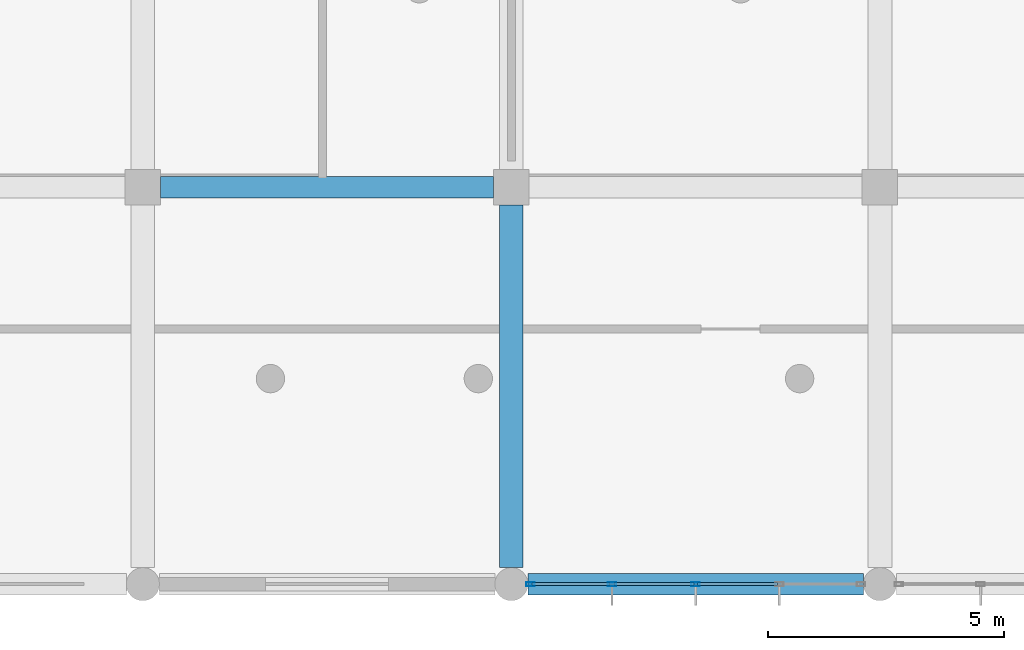
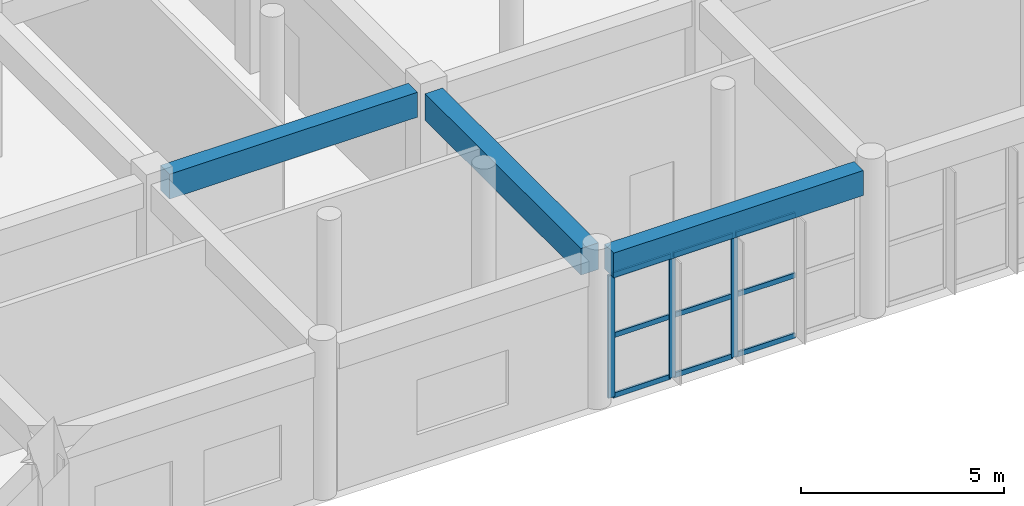
# One storey, part 10 of 175: 12 members, 3 beams, 1 element without a shape of its own.
"""IFC4 building model written with IfcOpenShell, lengths in metres."""

from ifc_helpers import new_model, si_unit, direction, frame, origin, origin_2d, place, context, subcontext, project, spatial, rectangle, hollow_rectangle, extrude, material, layer, layer_set, material_profile, profile_set, type_object, element, aggregate, save


model = new_model("IFC4")

# Units and contexts
model_context = context("Model", 3, precision=1e-05, world=origin(), true_north=direction((0.0, 1.0)))
body_context = subcontext(model_context, "Body", "Model", "MODEL_VIEW")
ifc_project = project(units=[si_unit("LENGTHUNIT", "METRE"), si_unit("AREAUNIT", "SQUARE_METRE"), si_unit("VOLUMEUNIT", "CUBIC_METRE"), si_unit("PLANEANGLEUNIT", "RADIAN"), si_unit("MASSUNIT", "GRAM", prefix="KILO")], contexts=[model_context])

# Site, building, storey
site_placement = place(None, origin())
site = spatial("IfcSite", under=ifc_project, at=site_placement, CompositionType="ELEMENT")
building_placement = place(site_placement, origin())
building = spatial("IfcBuilding", under=site, at=building_placement, Name="Zizhar Promenade General Hospital", CompositionType="ELEMENT")
storey_placement = place(building_placement, frame((0.0, 0.0, 4.800048828125)))
storey = spatial("IfcBuildingStorey", under=building, at=storey_placement, Name="L01", CompositionType="ELEMENT", Elevation=4.800048828125)

# Beams
ifc_material_1 = material(Name="Concrete C35/45", Category="concrete")
ifc_material_profile_1 = material_profile(ifc_material_1, rectangle(XDim=0.449951171875, YDim=0.75, at=origin_2d()))
ifc_profile_set_1 = profile_set([ifc_material_profile_1], Name="Concrete C35/45")
beam_type_1 = type_object("IfcBeamType", Name="BM-RC-450x750", PredefinedType="BEAM", material=ifc_profile_set_1)
beam_1_placement = place(storey_placement, frame((15.97509765625, 8.39990234375, 4.094970703125), z_axis=(1.0, 0.0, 0.0), x_axis=(0.0, 1.0, 0.0)))
element("IfcBeam", 1, at=beam_1_placement, inside=storey, type_object=beam_type_1, Name="Grid Beam X L01 (2-1)", PredefinedType="BEAM", context=body_context, shape_type="SweptSolid", body=[
    extrude(rectangle(XDim=0.449951171875, YDim=0.75, at=origin_2d()), origin(), (0.0, 0.0, 1.0), 7.0498046875),
])
beam_2_placement = place(storey_placement, frame((23.75, 0.0, 4.094970703125), z_axis=(1.0, 0.0, 0.0), x_axis=(0.0, 1.0, 0.0)))
element("IfcBeam", 2, at=beam_2_placement, inside=storey, type_object=beam_type_1, Name="Grid Beam X L01 (3-0)", PredefinedType="BEAM", context=body_context, shape_type="SweptSolid", body=[
    extrude(rectangle(XDim=0.449951171875, YDim=0.75, at=origin_2d()), origin(), (0.0, 0.0, 1.0), 7.10009765625),
])
ifc_material_2 = material(Name="Concrete C35/45", Category="concrete")
ifc_material_profile_2 = material_profile(ifc_material_2, rectangle(XDim=0.5, YDim=0.800048828125, at=origin_2d()))
ifc_profile_set_2 = profile_set([ifc_material_profile_2], Name="Concrete C35/45")
beam_type_2 = type_object("IfcBeamType", Name="BM-RC-500x800", PredefinedType="BEAM", material=ifc_profile_set_2)
beam_3_placement = place(storey_placement, frame((23.39990234375, 0.35009765625, 4.070068359375), z_axis=(0.0, 1.0, 0.0), x_axis=(-1.0, 0.0, 0.0)))
element("IfcBeam", 3, at=beam_3_placement, inside=storey, type_object=beam_type_2, Name="Grid Beam Y L01 (3-0)", PredefinedType="BEAM", context=body_context, shape_type="SweptSolid", body=[
    extrude(rectangle(XDim=0.5, YDim=0.800048828125, at=origin_2d()), origin(), (0.0, 0.0, 1.0), 7.6748046875),
])

# Curtain wall, members
ifc_material_3 = material(Name="Anodised aluminium 6063-T6 and low-E glass", Category="aluminium")
ifc_layer = layer(ifc_material_3, 0.159912109375)
ifc_layer_set = layer_set([ifc_layer], Name="Anodised aluminium 6063-T6 and low-E glass")
curtain_wall_type = type_object("IfcCurtainWallType", Name="CW-DT-MOD1", PredefinedType="NOTDEFINED", material=ifc_layer_set)
curtain_wall_placement = place(storey_placement, origin())
curtain_wall = element("IfcCurtainWall", 4, at=curtain_wall_placement, inside=storey, type_object=curtain_wall_type, Name="Riverfront Clinical Curtain Wall L01-2", PredefinedType="NOTDEFINED")
ifc_material_4 = material(Name="Anodised aluminium 6063-T6", Category="aluminium")
ifc_material_profile_3 = material_profile(ifc_material_4, hollow_rectangle(XDim=0.080078125, YDim=0.179931640625, WallThickness=0.0048828125, at=origin_2d()))
ifc_profile_set_3 = profile_set([ifc_material_profile_3], Name="Anodised aluminium 6063-T6")
member_type_1 = type_object("IfcMemberType", Name="CWM-ALU-180x80", PredefinedType="MULLION", material=ifc_profile_set_3)
member_1_placement = place(storey_placement, frame((27.300048828125, 0.0, 0.0), z_axis=(0.0, 0.0, 1.0), x_axis=(0.0, -1.0, 0.0)))
member_1 = element("IfcMember", 5, at=member_1_placement, type_object=member_type_1, Name="CW-07 mullion 3", PredefinedType="MULLION", context=body_context, shape_type="SweptSolid", body=[
    extrude(hollow_rectangle(XDim=0.080078125, YDim=0.179931640625, WallThickness=0.0048828125, at=origin_2d()), origin(), (0.0, 0.0, 1.0), 3.679931640625),
])
member_2_placement = place(storey_placement, frame((25.530029296875, 0.0, 0.0), z_axis=(0.0, 0.0, 1.0), x_axis=(0.0, -1.0, 0.0)))
member_2 = element("IfcMember", 6, at=member_2_placement, type_object=member_type_1, Name="CW-07 mullion 4", PredefinedType="MULLION", context=body_context, shape_type="SweptSolid", body=[
    extrude(hollow_rectangle(XDim=0.080078125, YDim=0.179931640625, WallThickness=0.0048828125, at=origin_2d()), origin(), (0.0, 0.0, 1.0), 3.679931640625),
])
member_3_placement = place(storey_placement, frame((23.800048828125, 0.0, 0.0), z_axis=(0.0, 0.0, 1.0), x_axis=(0.0, -1.0, 0.0)))
member_3 = element("IfcMember", 7, at=member_3_placement, type_object=member_type_1, Name="CW-07 mullion 5", PredefinedType="MULLION", context=body_context, shape_type="SweptSolid", body=[
    extrude(hollow_rectangle(XDim=0.080078125, YDim=0.179931640625, WallThickness=0.0048828125, at=origin_2d()), origin(), (0.0, 0.0, 1.0), 3.679931640625),
])
ifc_material_5 = material(Name="Anodised aluminium 6063-T6", Category="aluminium")
ifc_material_profile_4 = material_profile(ifc_material_5, hollow_rectangle(XDim=0.06005859375, YDim=0.14990234375, WallThickness=0.00390625, at=origin_2d()))
ifc_profile_set_4 = profile_set([ifc_material_profile_4], Name="Anodised aluminium 6063-T6")
member_type_2 = type_object("IfcMemberType", Name="CWT-ALU-150x60", PredefinedType="USERDEFINED", material=ifc_profile_set_4)
member_4_placement = place(storey_placement, frame((29.030029296875, 0.0, 0.030029296875), z_axis=(-1.0, 0.0, 0.0), x_axis=(0.0, -1.0, 0.0)))
member_4 = element("IfcMember", 8, at=member_4_placement, type_object=member_type_2, Name="CW-07 transom 2.1", ObjectType="TRANSOM", PredefinedType="USERDEFINED", context=body_context, shape_type="SweptSolid", body=[
    extrude(hollow_rectangle(XDim=0.06005859375, YDim=0.14990234375, WallThickness=0.00390625, at=origin_2d()), origin(), (0.0, 0.0, 1.0), 1.68994140625),
])
member_5_placement = place(storey_placement, frame((29.030029296875, 0.0, 1.83984375), z_axis=(-1.0, 0.0, 0.0), x_axis=(0.0, -1.0, 0.0)))
member_5 = element("IfcMember", 9, at=member_5_placement, type_object=member_type_2, Name="CW-07 transom 2.2", ObjectType="TRANSOM", PredefinedType="USERDEFINED", context=body_context, shape_type="SweptSolid", body=[
    extrude(hollow_rectangle(XDim=0.06005859375, YDim=0.14990234375, WallThickness=0.00390625, at=origin_2d()), origin(), (0.0, 0.0, 1.0), 1.68994140625),
])
member_6_placement = place(storey_placement, frame((29.030029296875, 0.0, 3.64990234375), z_axis=(-1.0, 0.0, 0.0), x_axis=(0.0, -1.0, 0.0)))
member_6 = element("IfcMember", 10, at=member_6_placement, type_object=member_type_2, Name="CW-07 transom 2.3", ObjectType="TRANSOM", PredefinedType="USERDEFINED", context=body_context, shape_type="SweptSolid", body=[
    extrude(hollow_rectangle(XDim=0.06005859375, YDim=0.14990234375, WallThickness=0.00390625, at=origin_2d()), origin(), (0.0, 0.0, 1.0), 1.68994140625),
])
member_7_placement = place(storey_placement, frame((27.260009765625, 0.0, 0.030029296875), z_axis=(-1.0, 0.0, 0.0), x_axis=(0.0, -1.0, 0.0)))
member_7 = element("IfcMember", 11, at=member_7_placement, type_object=member_type_2, Name="CW-07 transom 3.1", ObjectType="TRANSOM", PredefinedType="USERDEFINED", context=body_context, shape_type="SweptSolid", body=[
    extrude(hollow_rectangle(XDim=0.06005859375, YDim=0.14990234375, WallThickness=0.00390625, at=origin_2d()), origin(), (0.0, 0.0, 1.0), 1.68994140625),
])
member_8_placement = place(storey_placement, frame((27.260009765625, 0.0, 1.83984375), z_axis=(-1.0, 0.0, 0.0), x_axis=(0.0, -1.0, 0.0)))
member_8 = element("IfcMember", 12, at=member_8_placement, type_object=member_type_2, Name="CW-07 transom 3.2", ObjectType="TRANSOM", PredefinedType="USERDEFINED", context=body_context, shape_type="SweptSolid", body=[
    extrude(hollow_rectangle(XDim=0.06005859375, YDim=0.14990234375, WallThickness=0.00390625, at=origin_2d()), origin(), (0.0, 0.0, 1.0), 1.68994140625),
])
member_9_placement = place(storey_placement, frame((27.260009765625, 0.0, 3.64990234375), z_axis=(-1.0, 0.0, 0.0), x_axis=(0.0, -1.0, 0.0)))
member_9 = element("IfcMember", 13, at=member_9_placement, type_object=member_type_2, Name="CW-07 transom 3.3", ObjectType="TRANSOM", PredefinedType="USERDEFINED", context=body_context, shape_type="SweptSolid", body=[
    extrude(hollow_rectangle(XDim=0.06005859375, YDim=0.14990234375, WallThickness=0.00390625, at=origin_2d()), origin(), (0.0, 0.0, 1.0), 1.68994140625),
])
member_10_placement = place(storey_placement, frame((25.489990234375, 0.0, 0.030029296875), z_axis=(-1.0, 0.0, 0.0), x_axis=(0.0, -1.0, 0.0)))
member_10 = element("IfcMember", 14, at=member_10_placement, type_object=member_type_2, Name="CW-07 transom 4.1", ObjectType="TRANSOM", PredefinedType="USERDEFINED", context=body_context, shape_type="SweptSolid", body=[
    extrude(hollow_rectangle(XDim=0.06005859375, YDim=0.14990234375, WallThickness=0.00390625, at=origin_2d()), origin(), (0.0, 0.0, 1.0), 1.64990234375),
])
member_11_placement = place(storey_placement, frame((25.489990234375, 0.0, 1.83984375), z_axis=(-1.0, 0.0, 0.0), x_axis=(0.0, -1.0, 0.0)))
member_11 = element("IfcMember", 15, at=member_11_placement, type_object=member_type_2, Name="CW-07 transom 4.2", ObjectType="TRANSOM", PredefinedType="USERDEFINED", context=body_context, shape_type="SweptSolid", body=[
    extrude(hollow_rectangle(XDim=0.06005859375, YDim=0.14990234375, WallThickness=0.00390625, at=origin_2d()), origin(), (0.0, 0.0, 1.0), 1.64990234375),
])
member_12_placement = place(storey_placement, frame((25.489990234375, 0.0, 3.64990234375), z_axis=(-1.0, 0.0, 0.0), x_axis=(0.0, -1.0, 0.0)))
member_12 = element("IfcMember", 16, at=member_12_placement, type_object=member_type_2, Name="CW-07 transom 4.3", ObjectType="TRANSOM", PredefinedType="USERDEFINED", context=body_context, shape_type="SweptSolid", body=[
    extrude(hollow_rectangle(XDim=0.06005859375, YDim=0.14990234375, WallThickness=0.00390625, at=origin_2d()), origin(), (0.0, 0.0, 1.0), 1.64990234375),
])
aggregate(curtain_wall, [member_1, member_2, member_3, member_4, member_5, member_6, member_7, member_8, member_9, member_10, member_11, member_12])

save(model, "model.ifc")
